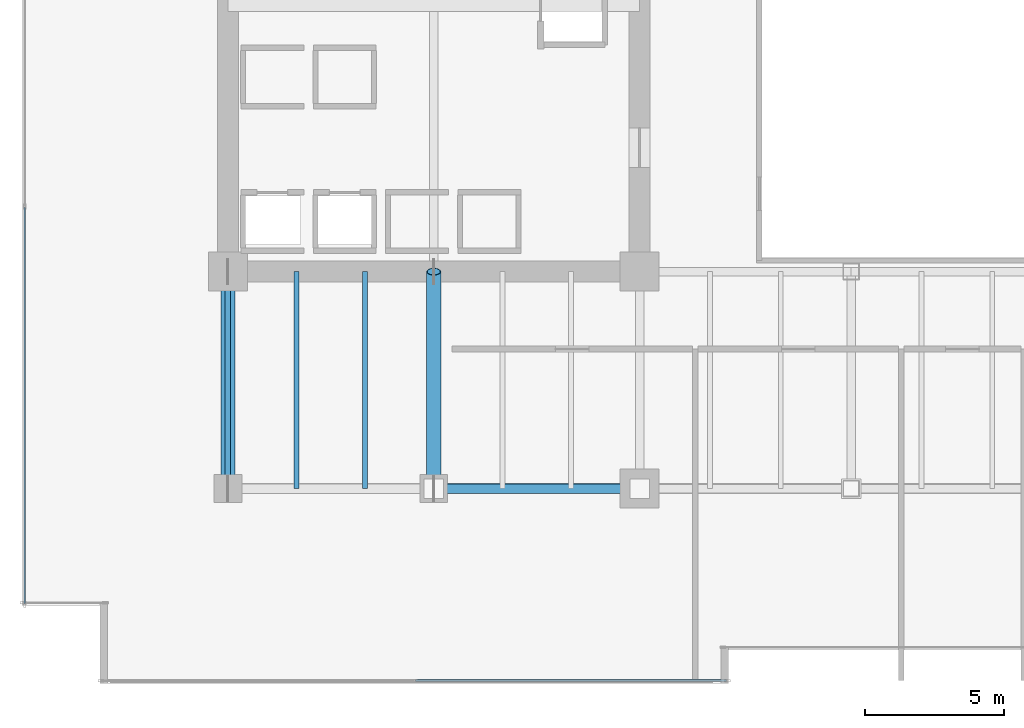
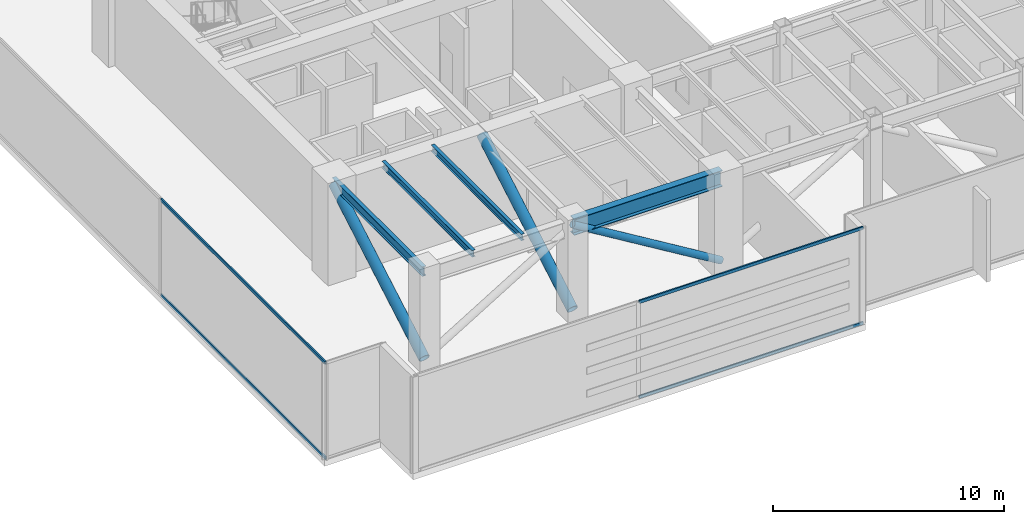
# One storey, part 3 of 38: 7 members, 4 beams, 2 elements without a shape of their own.
"""IFC4 building model written with IfcOpenShell, lengths in metres."""

from ifc_helpers import new_model, si_unit, direction, frame, origin, origin_2d, place, context, subcontext, project, spatial, hollow_rectangle, hollow_circle, i_section, extrude, source, transform, mapped, material, layer, layer_set, material_profile, profile_set, type_object, type_shapes, element, aggregate, save


model = new_model("IFC4")

# Units and contexts
model_context = context("Model", 3, precision=1e-05, world=origin(), true_north=direction((0.0, 1.0)))
body_context = subcontext(model_context, "Body", "Model", "MODEL_VIEW")
ifc_project = project(units=[si_unit("LENGTHUNIT", "METRE"), si_unit("AREAUNIT", "SQUARE_METRE"), si_unit("VOLUMEUNIT", "CUBIC_METRE"), si_unit("PLANEANGLEUNIT", "RADIAN"), si_unit("MASSUNIT", "GRAM", prefix="KILO")], contexts=[model_context])

# Site, building, storey
site_placement = place(None, origin())
site = spatial("IfcSite", under=ifc_project, at=site_placement, CompositionType="ELEMENT")
building_placement = place(site_placement, origin())
building = spatial("IfcBuilding", under=site, at=building_placement, Name="Haelvirn Gate Laboratories", CompositionType="ELEMENT")
storey_placement = place(building_placement, frame((0.0, 0.0, 94.89990234375)))
storey = spatial("IfcBuildingStorey", under=building, at=storey_placement, Name="L23", CompositionType="ELEMENT", Elevation=94.89990234375)

# Beams
ifc_material_1 = material(Name="Steel SM355", Category="steel")
ifc_material_profile_1 = material_profile(ifc_material_1, i_section(OverallWidth=0.199951171875, OverallDepth=0.5, WebThickness=0.010009765625, FlangeThickness=0.01611328125, at=origin_2d()), Name="H-500x200x10x16")
ifc_profile_set_1 = profile_set([ifc_material_profile_1], Name="Steel SM355")
beam_type_1 = type_object("IfcBeamType", Name="BM-SP-500", PredefinedType="SPANDREL", material=ifc_profile_set_1)
shared_shape_1 = source(origin(), body_context, "Body", "SweptSolid", [
    extrude(i_section(OverallWidth=0.199951171875, OverallDepth=0.5, WebThickness=0.010009765625, FlangeThickness=0.01611328125, at=origin_2d()), origin(), (0.0, 0.0, 1.0), 7.800048828125),
])
type_shapes(beam_type_1, [shared_shape_1])
beam_1_placement = place(storey_placement, frame((7.39990234375, 7.0, 4.840087890625), z_axis=(0.0, 1.0, 0.0), x_axis=(-1.0, 0.0, 0.0)))
element("IfcBeam", 1, at=beam_1_placement, inside=storey, type_object=beam_type_1, Name="L23 Perimeter Spandrel X7.4 (7.0-14.8)", PredefinedType="SPANDREL", context=body_context, shape_type="MappedRepresentation", body=[
    mapped(shared_shape_1, transform((0.0, 0.0, 0.0), scale=1.0)),
])
ifc_material_profile_2 = material_profile(ifc_material_1, i_section(OverallWidth=0.175048828125, OverallDepth=0.35009765625, WebThickness=0.007080078125, FlangeThickness=0.010986328125, at=origin_2d()), Name="H-350x175x7x11")
ifc_profile_set_2 = profile_set([ifc_material_profile_2], Name="Steel SM355")
beam_type_2 = type_object("IfcBeamType", Name="BM-J-350", PredefinedType="JOIST", material=ifc_profile_set_2)
shared_shape_2 = source(origin(), body_context, "Body", "SweptSolid", [
    extrude(i_section(OverallWidth=0.175048828125, OverallDepth=0.35009765625, WebThickness=0.007080078125, FlangeThickness=0.010986328125, at=origin_2d()), origin(), (0.0, 0.0, 1.0), 7.800048828125),
])
type_shapes(beam_type_2, [shared_shape_2])
for number, where, z_axis, x_axis, name in (
    (2, (9.8701171875, 7.0, 4.9150390625), (0.0, 1.0, 0.0), (-1.0, 0.0, 0.0), "L23 Composite Lab Joist South X9.87"),
    (3, (12.330078125, 7.0, 4.9150390625), (0.0, 1.0, 0.0), (-1.0, 0.0, 0.0), "L23 Composite Lab Joist South X12.33"),
):
    element("IfcBeam", number, at=place(storey_placement, frame(where, z_axis=z_axis, x_axis=x_axis)), inside=storey, type_object=beam_type_2, Name=name, PredefinedType="JOIST", context=body_context, shape_type="MappedRepresentation", body=[
        mapped(shared_shape_2, transform((0.0, 0.0, 0.0), scale=1.0)),
    ])
ifc_material_2 = material(Name="Steel SM420", Category="steel")
ifc_material_profile_3 = material_profile(ifc_material_2, i_section(OverallWidth=0.35009765625, OverallDepth=0.85009765625, WebThickness=0.01611328125, FlangeThickness=0.028076171875, at=origin_2d()), Name="H-850x350x16x28")
ifc_profile_set_3 = profile_set([ifc_material_profile_3], Name="Steel SM420")
beam_type_3 = type_object("IfcBeamType", Name="BM-AG-850", PredefinedType="BEAM", material=ifc_profile_set_3)
shared_shape_3 = source(origin(), body_context, "Body", "SweptSolid", [
    extrude(i_section(OverallWidth=0.35009765625, OverallDepth=0.85009765625, WebThickness=0.01611328125, FlangeThickness=0.028076171875, at=origin_2d()), origin(), (0.0, 0.0, 1.0), 7.39990234375),
])
type_shapes(beam_type_3, [shared_shape_3])
beam_2_placement = place(storey_placement, frame((14.800048828125, 7.0, 4.6650390625), z_axis=(1.0, 0.0, 0.0), x_axis=(0.0, 1.0, 0.0)))
element("IfcBeam", 4, at=beam_2_placement, inside=storey, type_object=beam_type_3, Name="L23 Primary Girder Y7.0 (14.8-22.2)", PredefinedType="BEAM", context=body_context, shape_type="MappedRepresentation", body=[
    mapped(shared_shape_3, transform((0.0, 0.0, 0.0), scale=1.0)),
])

# Members
ifc_material_profile_4 = material_profile(ifc_material_2, hollow_circle(Radius=0.25390625, WallThickness=0.02001953125, at=origin_2d()), Name="CHS-508x20")
ifc_profile_set_4 = profile_set([ifc_material_profile_4], Name="Steel SM420")
member_type_1 = type_object("IfcMemberType", Name="MEM-OUTRIG-1", PredefinedType="BRACE", material=ifc_profile_set_4)
shared_shape_4 = source(origin(), body_context, "Body", "SweptSolid", [
    extrude(hollow_circle(Radius=0.25390625, WallThickness=0.02001953125, at=origin_2d()), origin(), (0.0, 0.0, 1.0), 9.0),
])
type_shapes(member_type_1, [shared_shape_4])
for number, where, z_axis, x_axis, name in (
    (5, (7.39990234375, 14.800048828125, 4.739990234375), (0.0, -0.866667951138, -0.498885420182), (1.0, 0.0, 0.0), "L23 Outrigger Truss Arm WS1"),
    (6, (14.800048828125, 14.800048828125, 4.739990234375), (0.0, -0.866667951138, -0.498885420182), (1.0, 0.0, 0.0), "L23 Outrigger Truss Arm WS2"),
):
    element("IfcMember", number, at=place(storey_placement, frame(where, z_axis=z_axis, x_axis=x_axis)), inside=storey, type_object=member_type_1, Name=name, PredefinedType="BRACE", context=body_context, shape_type="MappedRepresentation", body=[
        mapped(shared_shape_4, transform((0.0, 0.0, 0.0), scale=1.0)),
    ])
ifc_material_profile_5 = material_profile(ifc_material_1, hollow_circle(Radius=0.177734375, WallThickness=0.013916015625, at=origin_2d()), Name="CHS-355x14")
ifc_profile_set_5 = profile_set([ifc_material_profile_5], Name="Steel SM355")
member_type_2 = type_object("IfcMemberType", Name="MEM-BELT-1", PredefinedType="STRUT", material=ifc_profile_set_5)
shared_shape_5 = source(origin(), body_context, "Body", "SweptSolid", [
    extrude(hollow_circle(Radius=0.177734375, WallThickness=0.013916015625, at=origin_2d()), origin(), (0.0, 0.0, 1.0), 8.655517578125),
])
type_shapes(member_type_2, [shared_shape_5])
member_1_placement = place(storey_placement, frame((14.800048828125, 7.0, 4.739990234375), z_axis=(0.854931378918, 0.0, -0.518741108205), x_axis=(0.0, 1.0, 0.0)))
element("IfcMember", 7, at=member_1_placement, inside=storey, type_object=member_type_2, Name="L23 Perimeter Belt Truss S2", PredefinedType="STRUT", context=body_context, shape_type="MappedRepresentation", body=[
    mapped(shared_shape_5, transform((0.0, 0.0, 0.0), scale=1.0)),
])

# Curtain wall, members
ifc_material_3 = material(Name="Anodised bronze unitised aluminium & triple low-E glass", Category="aluminium")
ifc_layer = layer(ifc_material_3, 0.18408203125, Name="CW-SYS-2")
ifc_layer_set = layer_set([ifc_layer], Name="Anodised bronze unitised aluminium & triple low-E glass")
curtain_wall_type = type_object("IfcCurtainWallType", Name="CW-SYS-2", PredefinedType="NOTDEFINED", material=ifc_layer_set)
curtain_wall_1_placement = place(storey_placement, origin())
curtain_wall_1 = element("IfcCurtainWall", 8, at=curtain_wall_1_placement, inside=storey, type_object=curtain_wall_type, Name="L23 Unitised Curtain Wall CW-L23-P0-E00-1", PredefinedType="NOTDEFINED")
ifc_material_4 = material(Name="Extruded aluminium 6063-T6 (anodised bronze)", Category="aluminium")
ifc_material_profile_6 = material_profile(ifc_material_4, hollow_rectangle(XDim=0.070068359375, YDim=0.159912109375, WallThickness=0.0048828125, at=origin_2d()), Name="CWT-160x70x5")
ifc_profile_set_6 = profile_set([ifc_material_profile_6], Name="Extruded aluminium 6063-T6 (anodised bronze)")
member_type_3 = type_object("IfcMemberType", Name="CWT-T160", PredefinedType="USERDEFINED", material=ifc_profile_set_6)
shared_shape_6 = source(origin(), body_context, "Body", "SweptSolid", [
    extrude(hollow_rectangle(XDim=0.070068359375, YDim=0.159912109375, WallThickness=0.0048828125, at=origin_2d()), origin(), (0.0, 0.0, 1.0), 11.1875),
])
member_2_placement = place(storey_placement, frame((14.137451171875, 0.10009765625, 0.03515625), z_axis=(1.0, 0.0, 0.0), x_axis=(0.0, 1.0, 0.0)))
member_2 = element("IfcMember", 9, at=member_2_placement, type_object=member_type_3, Name="CW2 transom 2.1", ObjectType="TRANSOM", PredefinedType="USERDEFINED", context=body_context, shape_type="MappedRepresentation", body=[
    mapped(shared_shape_6, transform((0.0, 0.0, 0.0), scale=1.0)),
])
member_3_placement = place(storey_placement, frame((14.137451171875, 0.10009765625, 5.05517578125), z_axis=(1.0, 0.0, 0.0), x_axis=(0.0, 1.0, 0.0)))
member_3 = element("IfcMember", 10, at=member_3_placement, type_object=member_type_3, Name="CW2 transom 2.2", ObjectType="TRANSOM", PredefinedType="USERDEFINED", context=body_context, shape_type="MappedRepresentation", body=[
    mapped(shared_shape_6, transform((0.0, 0.0, 0.0), scale=1.0)),
])
aggregate(curtain_wall_1, [member_2, member_3])

curtain_wall_2_placement = place(storey_placement, origin())
curtain_wall_2 = element("IfcCurtainWall", 11, at=curtain_wall_2_placement, inside=storey, type_object=curtain_wall_type, Name="L23 Unitised Curtain Wall CW-L23-P0-E17", PredefinedType="NOTDEFINED")
shared_shape_7 = source(origin(), body_context, "Body", "SweptSolid", [
    extrude(hollow_rectangle(XDim=0.070068359375, YDim=0.159912109375, WallThickness=0.0048828125, at=origin_2d()), origin(), (0.0, 0.0, 1.0), 14.220947265625),
])
type_shapes(member_type_3, [shared_shape_6, shared_shape_7])
member_4_placement = place(storey_placement, frame((0.10009765625, 17.095947265625, 0.03515625), z_axis=(0.0, -1.0, 0.0), x_axis=(1.0, 0.0, 0.0)))
member_4 = element("IfcMember", 12, at=member_4_placement, type_object=member_type_3, Name="CW2 transom 3.1", ObjectType="TRANSOM", PredefinedType="USERDEFINED", context=body_context, shape_type="MappedRepresentation", body=[
    mapped(shared_shape_7, transform((0.0, 0.0, 0.0), scale=1.0)),
])
member_5_placement = place(storey_placement, frame((0.10009765625, 17.095947265625, 5.05517578125), z_axis=(0.0, -1.0, 0.0), x_axis=(1.0, 0.0, 0.0)))
member_5 = element("IfcMember", 13, at=member_5_placement, type_object=member_type_3, Name="CW2 transom 3.2", ObjectType="TRANSOM", PredefinedType="USERDEFINED", context=body_context, shape_type="MappedRepresentation", body=[
    mapped(shared_shape_7, transform((0.0, 0.0, 0.0), scale=1.0)),
])
aggregate(curtain_wall_2, [member_4, member_5])

save(model, "model.ifc")
